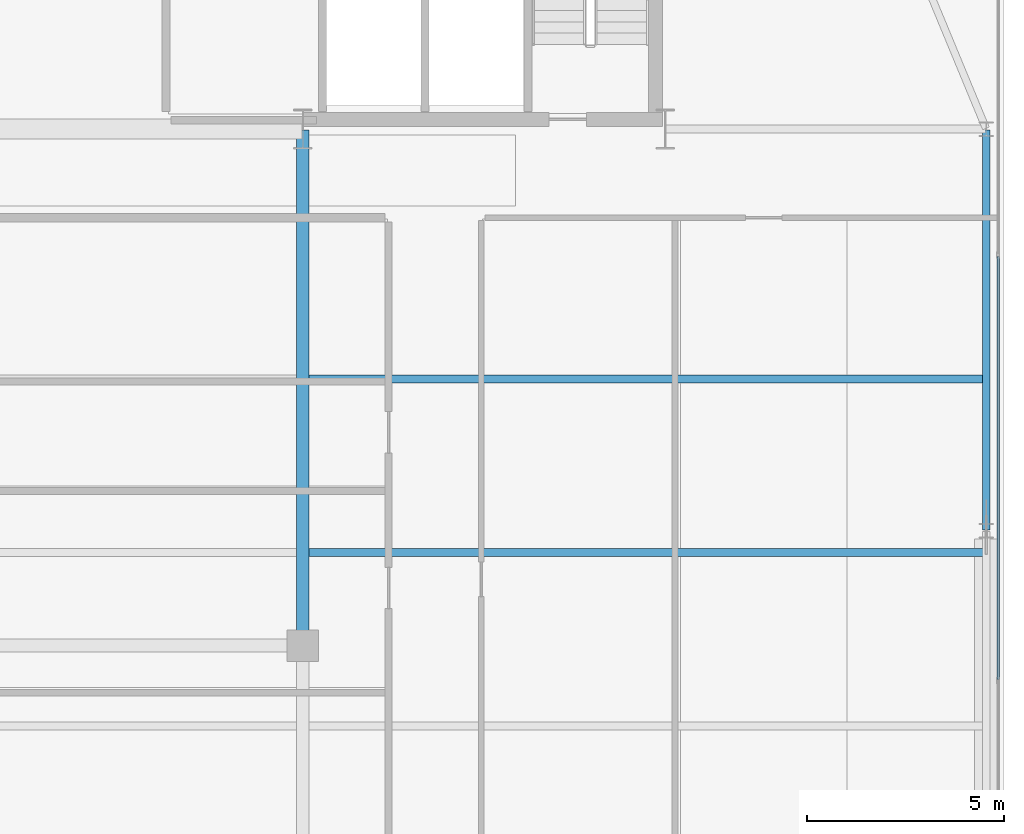
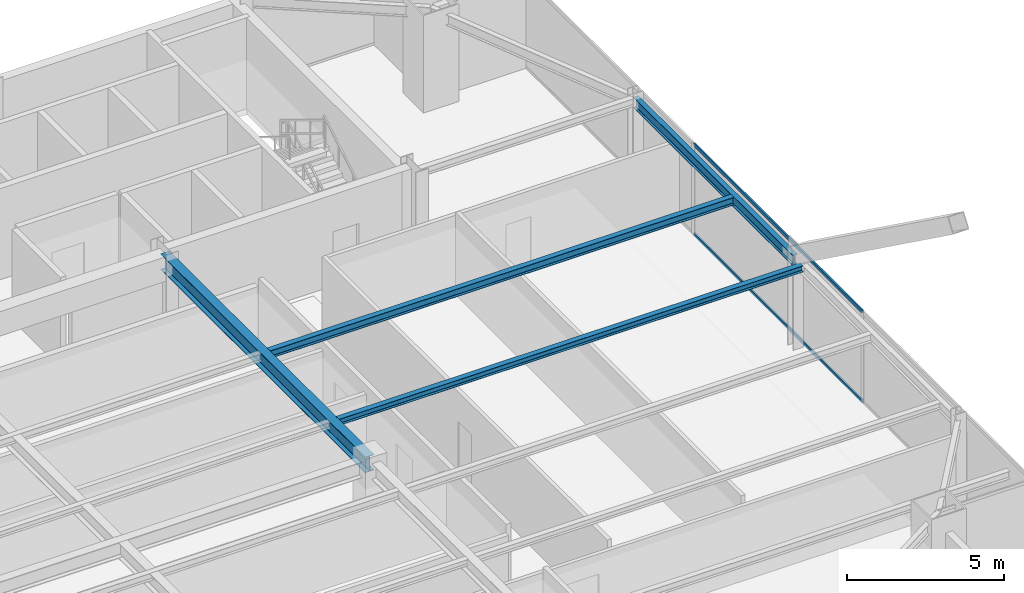
# One storey, part 18 of 30: 4 beams, 2 members, 1 element without a shape of its own.
"""IFC4 building model written with IfcOpenShell, lengths in metres."""

from ifc_helpers import new_model, si_unit, direction, frame, origin, origin_2d, place, context, subcontext, project, spatial, hollow_rectangle, i_section, extrude, source, transform, mapped, material, layer, layer_set, material_profile, profile_set, type_object, type_shapes, element, aggregate, save


model = new_model("IFC4")

# Units and contexts
model_context = context("Model", 3, precision=1e-05, world=origin(), true_north=direction((0.0, 1.0)))
body_context = subcontext(model_context, "Body", "Model", "MODEL_VIEW")
ifc_project = project(units=[si_unit("LENGTHUNIT", "METRE"), si_unit("AREAUNIT", "SQUARE_METRE"), si_unit("VOLUMEUNIT", "CUBIC_METRE"), si_unit("PLANEANGLEUNIT", "RADIAN"), si_unit("MASSUNIT", "GRAM", prefix="KILO")], contexts=[model_context])

# Site, building, storey
site_placement = place(None, origin())
site = spatial("IfcSite", under=ifc_project, at=site_placement, CompositionType="ELEMENT")
building_placement = place(site_placement, origin())
building = spatial("IfcBuilding", under=site, at=building_placement, Name="Varnel Quay Broadcast Tower", CompositionType="ELEMENT")
storey_placement = place(building_placement, frame((0.0, 0.0, 180.0)))
storey = spatial("IfcBuildingStorey", under=building, at=storey_placement, Name="L44", CompositionType="ELEMENT", Elevation=180.0)

# Beams
ifc_material_1 = material(Name="Structural Steel CSA G40.21 350W", Category="steel")
ifc_material_profile_1 = material_profile(ifc_material_1, i_section(OverallWidth=0.180908203125, OverallDepth=0.4169921875, WebThickness=0.010986328125, FlangeThickness=0.018310546875, FilletRadius=0.011962890625, at=origin_2d()), Name="W410X85")
ifc_profile_set_1 = profile_set([ifc_material_profile_1], Name="Structural Steel CSA G40.21 350W")
beam_type_1 = type_object("IfcBeamType", Name="Beam_W410X85", PredefinedType="SPANDREL", material=ifc_profile_set_1)
shared_shape_1 = source(origin(), body_context, "Body", "SweptSolid", [
    extrude(i_section(OverallWidth=0.180908203125, OverallDepth=0.4169921875, WebThickness=0.010986328125, FlangeThickness=0.018310546875, FilletRadius=0.011962890625, at=origin_2d()), origin(), (0.0, 0.0, 1.0), 10.16015625),
])
type_shapes(beam_type_1, [shared_shape_1])
beam_1_placement = place(storey_placement, frame((60.550048828125, 25.419921875, 3.341552734375), z_axis=(0.0, 1.0, 0.0), x_axis=(-1.0, 0.0, 0.0)))
element("IfcBeam", 1, at=beam_1_placement, inside=storey, type_object=beam_type_1, Name="L44 East Spandrel TC-E2-TC-E3", PredefinedType="SPANDREL", context=body_context, shape_type="MappedRepresentation", body=[
    mapped(shared_shape_1, transform((0.0, 0.0, 0.0), x_axis=(1.0, 0.0, 0.0), y_axis=(0.0, 1.0, 0.0), z_axis=(0.0, 0.0, 1.0), scale=1.0)),
])
ifc_material_profile_2 = material_profile(ifc_material_1, i_section(OverallWidth=0.324951171875, OverallDepth=0.615966796875, WebThickness=0.013916015625, FlangeThickness=0.021484375, FilletRadius=0.01611328125, at=origin_2d()), Name="W610X174")
ifc_profile_set_2 = profile_set([ifc_material_profile_2], Name="Structural Steel CSA G40.21 350W")
beam_type_2 = type_object("IfcBeamType", Name="Girder_W610X174", PredefinedType="BEAM", material=ifc_profile_set_2)
shared_shape_2 = source(origin(), body_context, "Body", "SweptSolid", [
    extrude(i_section(OverallWidth=0.324951171875, OverallDepth=0.615966796875, WebThickness=0.013916015625, FlangeThickness=0.021484375, FilletRadius=0.01611328125, at=origin_2d()), origin(), (0.0, 0.0, 1.0), 13.070068359375),
])
type_shapes(beam_type_2, [shared_shape_2])
beam_2_placement = place(storey_placement, frame((43.199951171875, 22.510009765625, 3.241943359375), z_axis=(0.0, 1.0, 0.0), x_axis=(-1.0, 0.0, 0.0)))
element("IfcBeam", 2, at=beam_2_placement, inside=storey, type_object=beam_type_2, Name="L44 Primary Girder IC-02-CC-S4", PredefinedType="BEAM", context=body_context, shape_type="MappedRepresentation", body=[
    mapped(shared_shape_2, transform((0.0, 0.0, 0.0), x_axis=(1.0, 0.0, 0.0), y_axis=(0.0, 1.0, 0.0), z_axis=(0.0, 0.0, 1.0), scale=1.0)),
])
ifc_material_profile_3 = material_profile(ifc_material_1, i_section(OverallWidth=0.202880859375, OverallDepth=0.302978515625, WebThickness=0.007568359375, FlangeThickness=0.01318359375, FilletRadius=0.011962890625, at=origin_2d()), Name="W310X60")
ifc_profile_set_3 = profile_set([ifc_material_profile_3], Name="Structural Steel CSA G40.21 350W")
beam_type_3 = type_object("IfcBeamType", Name="Beam_W310X60", PredefinedType="JOIST", material=ifc_profile_set_3)
shared_shape_3 = source(origin(), body_context, "Body", "SweptSolid", [
    extrude(i_section(OverallWidth=0.202880859375, OverallDepth=0.302978515625, WebThickness=0.007568359375, FlangeThickness=0.01318359375, FilletRadius=0.011962890625, at=origin_2d()), origin(), (0.0, 0.0, 1.0), 17.107177734375),
])
type_shapes(beam_type_3, [shared_shape_3])
beam_3_placement = place(storey_placement, frame((43.357421875, 29.25, 3.3984375), z_axis=(1.0, 0.0, 0.0), x_axis=(0.0, 1.0, 0.0)))
element("IfcBeam", 3, at=beam_3_placement, inside=storey, type_object=beam_type_3, Name="L44 East Floor Joist 5", PredefinedType="JOIST", context=body_context, shape_type="MappedRepresentation", body=[
    mapped(shared_shape_3, transform((0.0, 0.0, 0.0), x_axis=(1.0, 0.0, 0.0), y_axis=(0.0, 1.0, 0.0), z_axis=(0.0, 0.0, 1.0), scale=1.0)),
])
ifc_material_profile_4 = material_profile(ifc_material_1, i_section(OverallWidth=0.201904296875, OverallDepth=0.2470703125, WebThickness=0.00732421875, FlangeThickness=0.010986328125, FilletRadius=0.010986328125, at=origin_2d()), Name="W250X49")
ifc_profile_set_4 = profile_set([ifc_material_profile_4], Name="Structural Steel CSA G40.21 350W")
beam_type_4 = type_object("IfcBeamType", Name="Beam_W250X49", PredefinedType="JOIST", material=ifc_profile_set_4)
shared_shape_4 = source(origin(), body_context, "Body", "SweptSolid", [
    extrude(i_section(OverallWidth=0.201904296875, OverallDepth=0.2470703125, WebThickness=0.00732421875, FlangeThickness=0.010986328125, FilletRadius=0.010986328125, at=origin_2d()), origin(), (0.0, 0.0, 1.0), 17.107177734375),
])
type_shapes(beam_type_4, [shared_shape_4])
beam_4_placement = place(storey_placement, frame((43.357421875, 24.85009765625, 3.426513671875), z_axis=(1.0, 0.0, 0.0), x_axis=(0.0, 1.0, 0.0)))
element("IfcBeam", 4, at=beam_4_placement, inside=storey, type_object=beam_type_4, Name="L44 East Floor Joist 4", PredefinedType="JOIST", context=body_context, shape_type="MappedRepresentation", body=[
    mapped(shared_shape_4, transform((0.0, 0.0, 0.0), x_axis=(1.0, 0.0, 0.0), y_axis=(0.0, 1.0, 0.0), z_axis=(0.0, 0.0, 1.0), scale=1.0)),
])

# Curtain wall, members
ifc_material_2 = material(Name="Anodised Bronze Aluminium 6063-T6", Category="aluminium")
ifc_layer = layer(ifc_material_2, 0.18994140625, Name="Anodised Bronze Aluminium 6063-T6")
ifc_layer_set = layer_set([ifc_layer], Name="Anodised Bronze Aluminium 6063-T6")
curtain_wall_type = type_object("IfcCurtainWallType", Name="CW_UpperTower", PredefinedType="NOTDEFINED", material=ifc_layer_set)
curtain_wall_placement = place(storey_placement, origin())
curtain_wall = element("IfcCurtainWall", 5, at=curtain_wall_placement, inside=storey, type_object=curtain_wall_type, Name="L44 East Unitised Curtain Wall", PredefinedType="NOTDEFINED")
ifc_material_profile_5 = material_profile(ifc_material_2, hollow_rectangle(XDim=0.06005859375, YDim=0.125, WallThickness=0.0029296875, at=origin_2d()), Name="ALU60X125X3")
ifc_profile_set_5 = profile_set([ifc_material_profile_5], Name="Anodised Bronze Aluminium 6063-T6")
member_type = type_object("IfcMemberType", Name="Tran_CWS-03", PredefinedType="USERDEFINED", material=ifc_profile_set_5)
shared_shape_5 = source(origin(), body_context, "Body", "SweptSolid", [
    extrude(hollow_rectangle(XDim=0.06005859375, YDim=0.125, WallThickness=0.0029296875, at=origin_2d()), origin(), (0.0, 0.0, 1.0), 10.73486328125),
])
type_shapes(member_type, [shared_shape_5])
member_1_placement = place(storey_placement, frame((60.85009765625, 21.632568359375, 0.030029296875), z_axis=(0.0, 1.0, 0.0), x_axis=(-1.0, 0.0, 0.0)))
member_1 = element("IfcMember", 6, at=member_1_placement, type_object=member_type, Name="CWS-03 transom 2.1", ObjectType="TRANSOM", PredefinedType="USERDEFINED", context=body_context, shape_type="MappedRepresentation", body=[
    mapped(shared_shape_5, transform((0.0, 0.0, 0.0), x_axis=(1.0, 0.0, 0.0), y_axis=(0.0, 1.0, 0.0), z_axis=(0.0, 0.0, 1.0), scale=1.0)),
])
member_2_placement = place(storey_placement, frame((60.85009765625, 21.632568359375, 3.52001953125), z_axis=(0.0, 1.0, 0.0), x_axis=(-1.0, 0.0, 0.0)))
member_2 = element("IfcMember", 7, at=member_2_placement, type_object=member_type, Name="CWS-03 transom 2.2", ObjectType="TRANSOM", PredefinedType="USERDEFINED", context=body_context, shape_type="MappedRepresentation", body=[
    mapped(shared_shape_5, transform((0.0, 0.0, 0.0), x_axis=(1.0, 0.0, 0.0), y_axis=(0.0, 1.0, 0.0), z_axis=(0.0, 0.0, 1.0), scale=1.0)),
])
aggregate(curtain_wall, [member_1, member_2])

save(model, "model.ifc")
